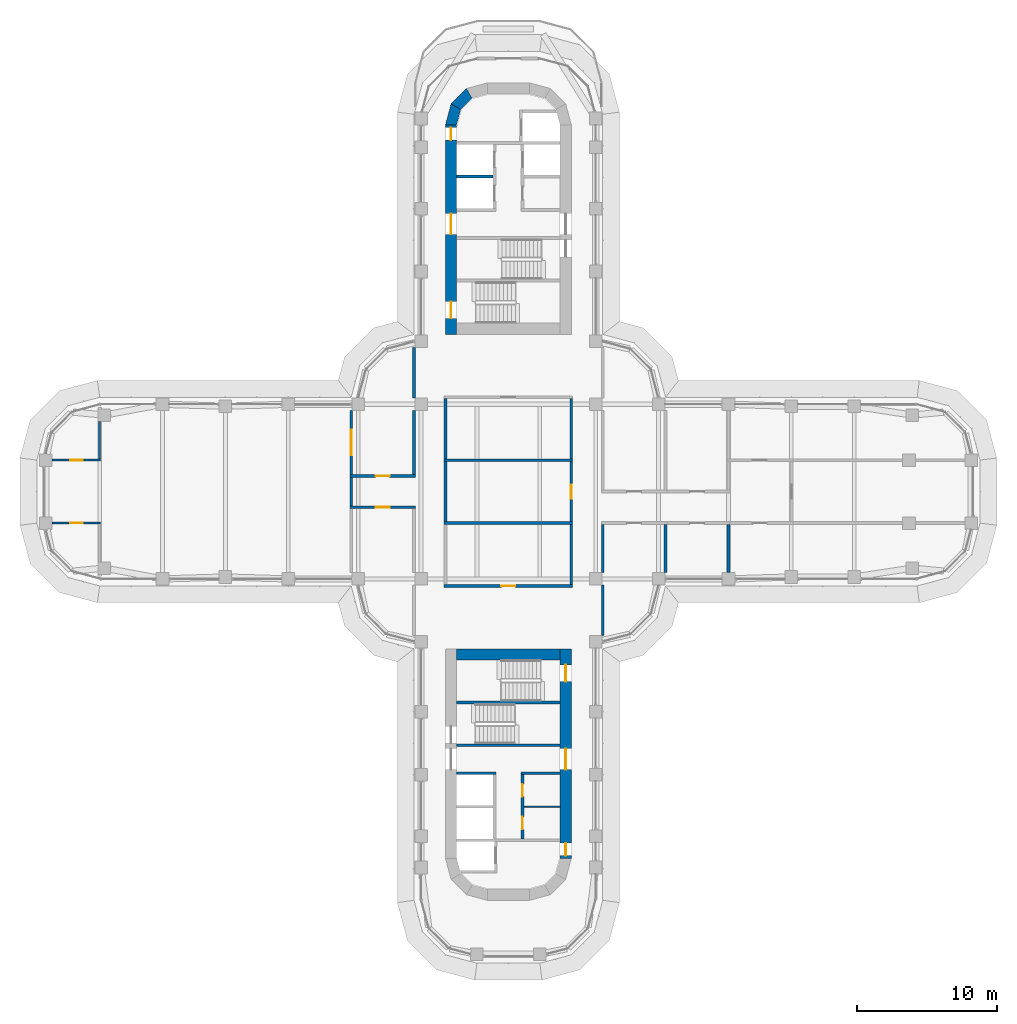
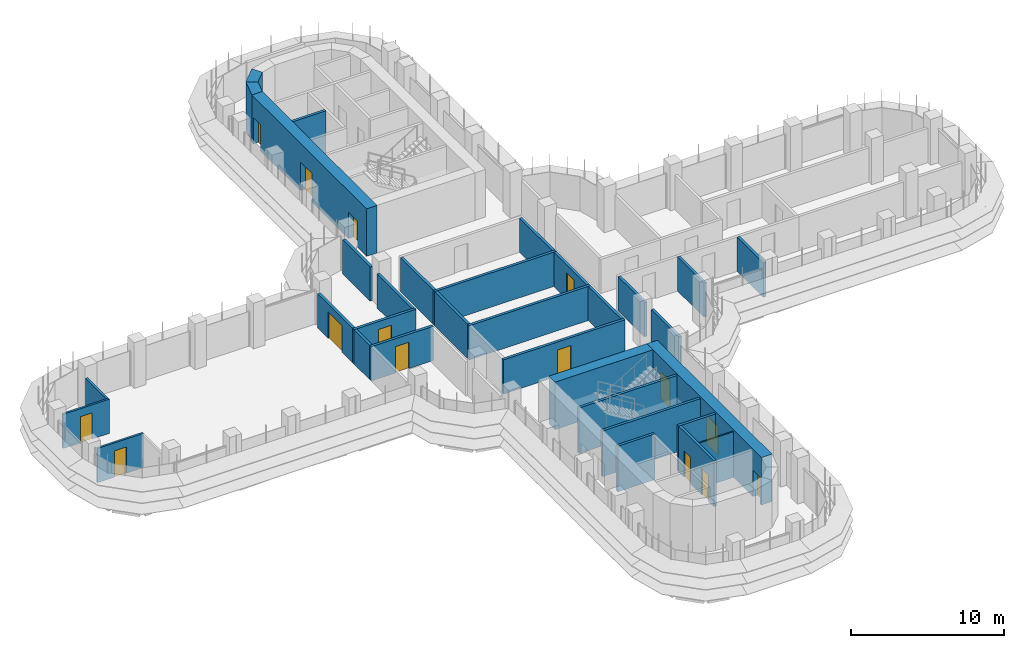
# One storey, part 16 of 22: 33 walls, 15 doors, 15 openings.
"""IFC4 building model written with IfcOpenShell, lengths in metres."""

from ifc_helpers import new_model, si_unit, direction, frame, frame_2d, origin, place, context, subcontext, project, spatial, polyline, rectangle, outline, extrude, material, layer, layer_set, type_object, element, fill, save


model = new_model("IFC4")

# Units and contexts
model_context = context("Model", 3, precision=1e-05, world=origin(), true_north=direction((0.0, 1.0)))
body_context = subcontext(model_context, "Body", "Model", "MODEL_VIEW")
ifc_project = project(units=[si_unit("LENGTHUNIT", "METRE"), si_unit("AREAUNIT", "SQUARE_METRE"), si_unit("VOLUMEUNIT", "CUBIC_METRE"), si_unit("PLANEANGLEUNIT", "RADIAN"), si_unit("MASSUNIT", "GRAM", prefix="KILO")], contexts=[model_context])

# Site, building, storey
site_placement = place(None, origin())
site = spatial("IfcSite", under=ifc_project, at=site_placement, CompositionType="ELEMENT")
building_placement = place(site_placement, origin())
building = spatial("IfcBuilding", under=site, at=building_placement, Name="Zarbagh Exchange Tower", CompositionType="ELEMENT")
storey_placement = place(building_placement, frame((0.0, 0.0, 94.199951171875)))
storey = spatial("IfcBuildingStorey", under=building, at=storey_placement, Name="L21", CompositionType="ELEMENT", Elevation=94.199951171875)

# Wall
ifc_material_1 = material(Name="Dense blockwork", Category="masonry")
ifc_layer_1 = layer(ifc_material_1, 0.10009765625)
ifc_layer_set_1 = layer_set([ifc_layer_1], Name="Core partition 100 mm blockwork")
wall_type_1 = type_object("IfcWallType", Name="Core partition 100 mm blockwork", PredefinedType="PARTITIONING", material=ifc_layer_set_1)
wall_1_placement = place(storey_placement, frame((3.699951171875, -22.550048828125, 0.0), z_axis=(0.0, 0.0, 1.0), x_axis=(-1.0, 0.0, 0.0)))
element("IfcWall", 1, at=wall_1_placement, inside=storey, type_object=wall_type_1, Name="South core partition wall CUT-W-580", PredefinedType="PARTITIONING", context=body_context, shape_type="SweptSolid", body=[
    extrude(rectangle(XDim=2.599853515625, YDim=0.10009765625, at=frame_2d((1.2998046875, 0.0))), origin(), (0.0, 0.0, 1.0), 3.650146484375),
])

# Wall, opening, door
ifc_material_2 = material(Name="Plasterboard partition")
ifc_layer_2 = layer(ifc_material_2, 0.14990234375)
ifc_layer_set_2 = layer_set([ifc_layer_2], Name="PARTITION 150")
wall_type_2 = type_object("IfcWallType", Name="PARTITION 150", PredefinedType="PARTITIONING", material=ifc_layer_set_2)
wall_2_placement = place(storey_placement, frame((-32.659912109375, 2.25, 0.0), z_axis=(0.0, 0.0, 1.0), x_axis=(1.0, 0.0, 0.0)))
wall_2 = element("IfcWall", 2, at=wall_2_placement, inside=storey, type_object=wall_type_2, Name="Partition W-740", PredefinedType="PARTITIONING", context=body_context, shape_type="SweptSolid", body=[
    extrude(rectangle(XDim=3.48486328125, YDim=0.14990234375, at=frame_2d((1.742431640625, 0.0))), origin(), (0.0, 0.0, 1.0), 2.738037109375),
])
opening_1_placement = place(wall_2_placement, frame((1.29248046875, 0.0, 0.0)))
opening_1 = element("IfcOpeningElement", 3, at=opening_1_placement, cuts=wall_2, Name="Opening D-711", PredefinedType="OPENING", context=body_context, shape_type="SweptSolid", body=[
    extrude(rectangle(XDim=0.89990234375, YDim=2.10009765625, at=frame_2d((0.449951171875, 1.050048828125))), frame((0.0, 0.0849609375, 0.0), z_axis=(0.0, -1.0, 0.0), x_axis=(1.0, 0.0, 0.0)), (0.0, 0.0, 1.0), 0.169921875),
])
ifc_material_3 = material(Name="Timber door leaf", Category="wood")
door_type_1 = type_object("IfcDoorType", Name="DOOR 900 X 2100", OperationType="NOTDEFINED", PredefinedType="DOOR", material=ifc_material_3)
door_1_placement = place(opening_1_placement, origin())
door_1 = element("IfcDoor", 4, at=door_1_placement, inside=storey, type_object=door_type_1, Name="Door D-711", OperationType="SINGLE_SWING_RIGHT", OverallHeight=2.10009765625, OverallWidth=0.89990234375, PredefinedType="DOOR", context=body_context, shape_type="SweptSolid", body=[
    extrude(rectangle(XDim=0.89990234375, YDim=2.10009765625, at=frame_2d((0.449951171875, 1.050048828125))), frame((0.0, 0.02490234375, 0.0), z_axis=(0.0, -1.0, 0.0), x_axis=(1.0, 0.0, 0.0)), (0.0, 0.0, 1.0), 0.050048828125),
])
fill(opening_1, door_1)

# Wall
wall_3_placement = place(storey_placement, frame((-29.25, 2.324951171875, 0.0), z_axis=(0.0, 0.0, 1.0), x_axis=(0.0, 1.0, 0.0)))
element("IfcWall", 5, at=wall_3_placement, inside=storey, type_object=wall_type_2, Name="Partition W-741", PredefinedType="PARTITIONING", context=body_context, shape_type="SweptSolid", body=[
    extrude(rectangle(XDim=2.699951171875, YDim=0.14990234375, at=frame_2d((1.35009765625, 0.0))), origin(), (0.0, 0.0, 1.0), 2.738037109375),
])

# Wall, opening, door
wall_4_placement = place(storey_placement, frame((-29.175048828125, -2.25, 0.0), z_axis=(0.0, 0.0, 1.0), x_axis=(-1.0, 0.0, 0.0)))
wall_4 = element("IfcWall", 6, at=wall_4_placement, inside=storey, type_object=wall_type_2, Name="Partition W-743", PredefinedType="PARTITIONING", context=body_context, shape_type="SweptSolid", body=[
    extrude(rectangle(XDim=3.48486328125, YDim=0.14990234375, at=frame_2d((1.742431640625, 0.0))), origin(), (0.0, 0.0, 1.0), 2.738037109375),
])
opening_2_placement = place(wall_4_placement, frame((1.29248046875, 0.0, 0.0)))
opening_2 = element("IfcOpeningElement", 7, at=opening_2_placement, cuts=wall_4, Name="Opening D-712", PredefinedType="OPENING", context=body_context, shape_type="SweptSolid", body=[
    extrude(rectangle(XDim=0.89990234375, YDim=2.10009765625, at=frame_2d((0.449951171875, 1.050048828125))), frame((0.0, 0.0849609375, 0.0), z_axis=(0.0, -1.0, 0.0), x_axis=(1.0, 0.0, 0.0)), (0.0, 0.0, 1.0), 0.169921875),
])
door_2_placement = place(opening_2_placement, origin())
door_2 = element("IfcDoor", 8, at=door_2_placement, inside=storey, type_object=door_type_1, Name="Door D-712", OperationType="SINGLE_SWING_LEFT", OverallHeight=2.10009765625, OverallWidth=0.89990234375, PredefinedType="DOOR", context=body_context, shape_type="SweptSolid", body=[
    extrude(rectangle(XDim=0.89990234375, YDim=2.10009765625, at=frame_2d((0.449951171875, 1.050048828125))), frame((0.0, 0.02490234375, 0.0), z_axis=(0.0, -1.0, 0.0), x_axis=(1.0, 0.0, 0.0)), (0.0, 0.0, 1.0), 0.050048828125),
])
fill(opening_2, door_2)

# Walls
ifc_material_4 = material(Name="Fire-rated plasterboard partition")
ifc_layer_3 = layer(ifc_material_4, 0.199951171875)
ifc_layer_set_3 = layer_set([ifc_layer_3], Name="RATED PARTITION 200")
wall_type_3 = type_object("IfcWallType", Name="RATED PARTITION 200", PredefinedType="PARTITIONING", material=ifc_layer_set_3)
for number, where, z_axis, x_axis, name in (
    (9, (-4.5, 2.35009765625, 0.0), (0.0, 0.0, 1.0), (0.0, 1.0, 0.0), "Partition W-701"),
    (10, (-4.5, -2.14990234375, 0.0), (0.0, 0.0, 1.0), (0.0, 1.0, 0.0), "Partition W-702"),
):
    element("IfcWall", number, at=place(storey_placement, frame(where, z_axis=z_axis, x_axis=x_axis)), inside=storey, type_object=wall_type_3, Name=name, PredefinedType="PARTITIONING", context=body_context, shape_type="SweptSolid", body=[
        extrude(rectangle(XDim=4.2998046875, YDim=0.199951171875, at=frame_2d((2.14990234375, 0.0))), origin(), (0.0, 0.0, 1.0), 2.738037109375),
    ])
wall_5_placement = place(storey_placement, frame((-6.75, 1.22509765625, 0.0), z_axis=(0.0, 0.0, 1.0), x_axis=(0.0, 1.0, 0.0)))
element("IfcWall", 11, at=wall_5_placement, inside=storey, type_object=wall_type_3, Name="Partition W-704", PredefinedType="PARTITIONING", context=body_context, shape_type="SweptSolid", body=[
    extrude(rectangle(XDim=4.574951171875, YDim=0.199951171875, at=frame_2d((2.28759765625, 0.0))), origin(), (0.0, 0.0, 1.0), 2.738037109375),
])
wall_6_placement = place(storey_placement, frame((-6.75, 6.699951171875, 0.0), z_axis=(0.0, 0.0, 1.0), x_axis=(0.0, 1.0, 0.0)))
element("IfcWall", 12, at=wall_6_placement, inside=storey, type_object=wall_type_3, Name="Partition W-705", PredefinedType="PARTITIONING", context=body_context, shape_type="SweptSolid", body=[
    extrude(rectangle(XDim=3.60009765625, YDim=0.199951171875, at=frame_2d((1.800048828125, 0.0))), origin(), (0.0, 0.0, 1.0), 2.738037109375),
])
wall_7_placement = place(storey_placement, frame((4.5, 2.35009765625, 0.0), z_axis=(0.0, 0.0, 1.0), x_axis=(0.0, 1.0, 0.0)))
element("IfcWall", 13, at=wall_7_placement, inside=storey, type_object=wall_type_3, Name="Partition W-708", PredefinedType="PARTITIONING", context=body_context, shape_type="SweptSolid", body=[
    extrude(rectangle(XDim=4.2998046875, YDim=0.199951171875, at=frame_2d((2.14990234375, 0.0))), origin(), (0.0, 0.0, 1.0), 2.738037109375),
])

# Wall, opening, door
wall_8_placement = place(storey_placement, frame((4.5, -2.14990234375, 0.0), z_axis=(0.0, 0.0, 1.0), x_axis=(0.0, 1.0, 0.0)))
wall_8 = element("IfcWall", 14, at=wall_8_placement, inside=storey, type_object=wall_type_3, Name="Partition W-709", PredefinedType="PARTITIONING", context=body_context, shape_type="SweptSolid", body=[
    extrude(rectangle(XDim=4.2998046875, YDim=0.199951171875, at=frame_2d((2.14990234375, 0.0))), origin(), (0.0, 0.0, 1.0), 2.738037109375),
])
opening_3_placement = place(wall_8_placement, frame((1.64990234375, 0.0, 0.0)))
opening_3 = element("IfcOpeningElement", 15, at=opening_3_placement, cuts=wall_8, Name="Opening D-701", PredefinedType="OPENING", context=body_context, shape_type="SweptSolid", body=[
    extrude(rectangle(XDim=1.0, YDim=2.10009765625, at=frame_2d((0.5, 1.050048828125))), frame((0.0, 0.10986328125, 0.0), z_axis=(0.0, -1.0, 0.0), x_axis=(1.0, 0.0, 0.0)), (0.0, 0.0, 1.0), 0.219970703125),
])
ifc_material_5 = material(Name="Steel door set", Category="steel")
door_type_2 = type_object("IfcDoorType", Name="FIRE DOOR 1000 X 2100 FD30S", OperationType="NOTDEFINED", PredefinedType="DOOR", material=ifc_material_5)
door_3_placement = place(opening_3_placement, origin())
door_3 = element("IfcDoor", 16, at=door_3_placement, inside=storey, type_object=door_type_2, Name="Door D-701", OperationType="SINGLE_SWING_RIGHT", OverallHeight=2.10009765625, OverallWidth=1.0, PredefinedType="DOOR", context=body_context, shape_type="SweptSolid", body=[
    extrude(rectangle(XDim=1.0, YDim=2.10009765625, at=frame_2d((0.5, 1.050048828125))), frame((0.0, 0.02490234375, 0.0), z_axis=(0.0, -1.0, 0.0), x_axis=(1.0, 0.0, 0.0)), (0.0, 0.0, 1.0), 0.050048828125),
])
fill(opening_3, door_3)

# Walls
wall_9_placement = place(storey_placement, frame((4.5, -6.64990234375, 0.0), z_axis=(0.0, 0.0, 1.0), x_axis=(0.0, 1.0, 0.0)))
element("IfcWall", 17, at=wall_9_placement, inside=storey, type_object=wall_type_3, Name="Partition W-710", PredefinedType="PARTITIONING", context=body_context, shape_type="SweptSolid", body=[
    extrude(rectangle(XDim=4.2998046875, YDim=0.199951171875, at=frame_2d((2.14990234375, 0.0))), origin(), (0.0, 0.0, 1.0), 2.738037109375),
])
wall_10_placement = place(storey_placement, frame((6.75, -10.300048828125, 0.0), z_axis=(0.0, 0.0, 1.0), x_axis=(0.0, 1.0, 0.0)))
element("IfcWall", 18, at=wall_10_placement, inside=storey, type_object=wall_type_3, Name="Partition W-713", PredefinedType="PARTITIONING", context=body_context, shape_type="SweptSolid", body=[
    extrude(rectangle(XDim=3.60009765625, YDim=0.199951171875, at=frame_2d((1.800048828125, 0.0))), origin(), (0.0, 0.0, 1.0), 2.738037109375),
])
wall_11_placement = place(storey_placement, frame((6.75, -5.800048828125, 0.0), z_axis=(0.0, 0.0, 1.0), x_axis=(0.0, 1.0, 0.0)))
element("IfcWall", 19, at=wall_11_placement, inside=storey, type_object=wall_type_3, Name="Partition W-714", PredefinedType="PARTITIONING", context=body_context, shape_type="SweptSolid", body=[
    extrude(rectangle(XDim=3.449951171875, YDim=0.199951171875, at=frame_2d((1.72509765625, 0.0))), origin(), (0.0, 0.0, 1.0), 2.738037109375),
])

# Wall, opening, door
wall_12_placement = place(storey_placement, frame((-4.60009765625, -6.75, 0.0), z_axis=(0.0, 0.0, 1.0), x_axis=(1.0, 0.0, 0.0)))
wall_12 = element("IfcWall", 20, at=wall_12_placement, inside=storey, type_object=wall_type_3, Name="Partition W-716", PredefinedType="PARTITIONING", context=body_context, shape_type="SweptSolid", body=[
    extrude(rectangle(XDim=9.2001953125, YDim=0.199951171875, at=frame_2d((4.60009765625, 0.0))), origin(), (0.0, 0.0, 1.0), 2.738037109375),
])
opening_4_placement = place(wall_12_placement, frame((4.10009765625, 0.0, 0.0)))
opening_4 = element("IfcOpeningElement", 21, at=opening_4_placement, cuts=wall_12, Name="Opening D-703", PredefinedType="OPENING", context=body_context, shape_type="SweptSolid", body=[
    extrude(rectangle(XDim=1.0, YDim=2.10009765625, at=frame_2d((0.5, 1.050048828125))), frame((0.0, 0.10986328125, 0.0), z_axis=(0.0, -1.0, 0.0), x_axis=(1.0, 0.0, 0.0)), (0.0, 0.0, 1.0), 0.219970703125),
])
door_4_placement = place(opening_4_placement, origin())
door_4 = element("IfcDoor", 22, at=door_4_placement, inside=storey, type_object=door_type_2, Name="Door D-703", OperationType="SINGLE_SWING_RIGHT", OverallHeight=2.10009765625, OverallWidth=1.0, PredefinedType="DOOR", context=body_context, shape_type="SweptSolid", body=[
    extrude(rectangle(XDim=1.0, YDim=2.10009765625, at=frame_2d((0.5, 1.050048828125))), frame((0.0, 0.02490234375, 0.0), z_axis=(0.0, -1.0, 0.0), x_axis=(1.0, 0.0, 0.0)), (0.0, 0.0, 1.0), 0.050048828125),
])
fill(opening_4, door_4)

# Walls
for number, where, z_axis, x_axis, name in (
    (23, (-4.60009765625, 2.25, 0.0), (0.0, 0.0, 1.0), (1.0, 0.0, 0.0), "Partition W-717"),
    (24, (-4.60009765625, -2.25, 0.0), (0.0, 0.0, 1.0), (1.0, 0.0, 0.0), "Partition W-718"),
):
    element("IfcWall", number, at=place(storey_placement, frame(where, z_axis=z_axis, x_axis=x_axis)), inside=storey, type_object=wall_type_3, Name=name, PredefinedType="PARTITIONING", context=body_context, shape_type="SweptSolid", body=[
        extrude(rectangle(XDim=9.2001953125, YDim=0.199951171875, at=frame_2d((4.60009765625, 0.0))), origin(), (0.0, 0.0, 1.0), 2.738037109375),
    ])
for number, where, z_axis, x_axis, name in (
    (25, (11.25, -5.800048828125, 0.0), (0.0, 0.0, 1.0), (0.0, 1.0, 0.0), "Partition W-724"),
    (26, (15.75, -5.800048828125, 0.0), (0.0, 0.0, 1.0), (0.0, 1.0, 0.0), "Partition W-727"),
):
    element("IfcWall", number, at=place(storey_placement, frame(where, z_axis=z_axis, x_axis=x_axis)), inside=storey, type_object=wall_type_3, Name=name, PredefinedType="PARTITIONING", context=body_context, shape_type="SweptSolid", body=[
        extrude(rectangle(XDim=3.449951171875, YDim=0.199951171875, at=frame_2d((1.72509765625, 0.0))), origin(), (0.0, 0.0, 1.0), 2.738037109375),
    ])

# Wall, opening, door
wall_13_placement = place(storey_placement, frame((-11.35009765625, 1.125, 0.0), z_axis=(0.0, 0.0, 1.0), x_axis=(1.0, 0.0, 0.0)))
wall_13 = element("IfcWall", 27, at=wall_13_placement, inside=storey, type_object=wall_type_3, Name="Partition W-735", PredefinedType="PARTITIONING", context=body_context, shape_type="SweptSolid", body=[
    extrude(rectangle(XDim=4.7001953125, YDim=0.199951171875, at=frame_2d((2.35009765625, 0.0))), origin(), (0.0, 0.0, 1.0), 2.738037109375),
])
opening_5_placement = place(wall_13_placement, frame((1.85009765625, 0.0, 0.0)))
opening_5 = element("IfcOpeningElement", 28, at=opening_5_placement, cuts=wall_13, Name="Opening D-714", PredefinedType="OPENING", context=body_context, shape_type="SweptSolid", body=[
    extrude(rectangle(XDim=1.0, YDim=2.10009765625, at=frame_2d((0.5, 1.050048828125))), frame((0.0, 0.10986328125, 0.0), z_axis=(0.0, -1.0, 0.0), x_axis=(1.0, 0.0, 0.0)), (0.0, 0.0, 1.0), 0.219970703125),
])
door_5_placement = place(opening_5_placement, origin())
door_5 = element("IfcDoor", 29, at=door_5_placement, inside=storey, type_object=door_type_2, Name="Door D-714", OperationType="SINGLE_SWING_RIGHT", OverallHeight=2.10009765625, OverallWidth=1.0, PredefinedType="DOOR", context=body_context, shape_type="SweptSolid", body=[
    extrude(rectangle(XDim=1.0, YDim=2.10009765625, at=frame_2d((0.5, 1.050048828125))), frame((0.0, 0.02490234375, 0.0), z_axis=(0.0, -1.0, 0.0), x_axis=(1.0, 0.0, 0.0)), (0.0, 0.0, 1.0), 0.050048828125),
])
fill(opening_5, door_5)

wall_14_placement = place(storey_placement, frame((-6.64990234375, -1.125, 0.0), z_axis=(0.0, 0.0, 1.0), x_axis=(-1.0, 0.0, 0.0)))
wall_14 = element("IfcWall", 30, at=wall_14_placement, inside=storey, type_object=wall_type_3, Name="Partition W-736", PredefinedType="PARTITIONING", context=body_context, shape_type="SweptSolid", body=[
    extrude(rectangle(XDim=4.7001953125, YDim=0.199951171875, at=frame_2d((2.35009765625, 0.0))), origin(), (0.0, 0.0, 1.0), 2.738037109375),
])
opening_6_placement = place(wall_14_placement, frame((1.85009765625, 0.0, 0.0)))
opening_6 = element("IfcOpeningElement", 31, at=opening_6_placement, cuts=wall_14, Name="Opening D-715", PredefinedType="OPENING", context=body_context, shape_type="SweptSolid", body=[
    extrude(rectangle(XDim=1.0, YDim=2.10009765625, at=frame_2d((0.5, 1.050048828125))), frame((0.0, 0.10986328125, 0.0), z_axis=(0.0, -1.0, 0.0), x_axis=(1.0, 0.0, 0.0)), (0.0, 0.0, 1.0), 0.219970703125),
])
door_6_placement = place(opening_6_placement, origin())
door_6 = element("IfcDoor", 32, at=door_6_placement, inside=storey, type_object=door_type_2, Name="Door D-715", OperationType="SINGLE_SWING_RIGHT", OverallHeight=2.10009765625, OverallWidth=1.0, PredefinedType="DOOR", context=body_context, shape_type="SweptSolid", body=[
    extrude(rectangle(XDim=1.0, YDim=2.10009765625, at=frame_2d((0.5, 1.050048828125))), frame((0.0, 0.02490234375, 0.0), z_axis=(0.0, -1.0, 0.0), x_axis=(1.0, 0.0, 0.0)), (0.0, 0.0, 1.0), 0.050048828125),
])
fill(opening_6, door_6)

# Wall
wall_15_placement = place(storey_placement, frame((-11.25, -1.02490234375, 0.0), z_axis=(0.0, 0.0, 1.0), x_axis=(0.0, 1.0, 0.0)))
element("IfcWall", 33, at=wall_15_placement, inside=storey, type_object=wall_type_3, Name="Partition W-737", PredefinedType="PARTITIONING", context=body_context, shape_type="SweptSolid", body=[
    extrude(rectangle(XDim=2.0498046875, YDim=0.199951171875, at=frame_2d((1.02490234375, 0.0))), origin(), (0.0, 0.0, 1.0), 2.738037109375),
])

# Wall, opening, door
wall_16_placement = place(storey_placement, frame((-11.25, 1.22509765625, 0.0), z_axis=(0.0, 0.0, 1.0), x_axis=(0.0, 1.0, 0.0)))
wall_16 = element("IfcWall", 34, at=wall_16_placement, inside=storey, type_object=wall_type_3, Name="Partition W-738", PredefinedType="PARTITIONING", context=body_context, shape_type="SweptSolid", body=[
    extrude(rectangle(XDim=4.574951171875, YDim=0.199951171875, at=frame_2d((2.28759765625, 0.0))), origin(), (0.0, 0.0, 1.0), 2.738037109375),
])
opening_7_placement = place(wall_16_placement, frame((1.387451171875, 0.0, 0.0)))
opening_7 = element("IfcOpeningElement", 35, at=opening_7_placement, cuts=wall_16, Name="Opening D-713", PredefinedType="OPENING", context=body_context, shape_type="SweptSolid", body=[
    extrude(rectangle(XDim=1.800048828125, YDim=2.10009765625, at=frame_2d((0.89990234375, 1.050048828125))), frame((0.0, 0.10986328125, 0.0), z_axis=(0.0, -1.0, 0.0), x_axis=(1.0, 0.0, 0.0)), (0.0, 0.0, 1.0), 0.219970703125),
])
door_type_3 = type_object("IfcDoorType", Name="FIRE DOUBLE DOOR 1800 X 2100 FD30S", OperationType="DOUBLE_DOOR_SINGLE_SWING", PredefinedType="DOOR", material=ifc_material_5)
door_7_placement = place(opening_7_placement, origin())
door_7 = element("IfcDoor", 36, at=door_7_placement, inside=storey, type_object=door_type_3, Name="Door D-713", OperationType="DOUBLE_DOOR_SINGLE_SWING", OverallHeight=2.10009765625, OverallWidth=1.800048828125, PredefinedType="DOOR", context=body_context, shape_type="SweptSolid", body=[
    extrude(rectangle(XDim=1.800048828125, YDim=2.10009765625, at=frame_2d((0.89990234375, 1.050048828125))), frame((0.0, 0.02490234375, 0.0), z_axis=(0.0, -1.0, 0.0), x_axis=(1.0, 0.0, 0.0)), (0.0, 0.0, 1.0), 0.050048828125),
])
fill(opening_7, door_7)

# Walls
ifc_material_6 = material(Name="Concrete C60/75", Category="concrete")
ifc_layer_4 = layer(ifc_material_6, 0.800048828125)
ifc_layer_set_4 = layer_set([ifc_layer_4], Name="RC core corner wall 800 C60/75")
wall_type_4 = type_object("IfcWallType", Name="RC core corner wall 800 C60/75", PredefinedType="SHEAR", material=ifc_layer_set_4)
wall_17_placement = place(storey_placement, origin())
element("IfcWall", 37, at=wall_17_placement, inside=storey, type_object=wall_type_4, Name="CW4 core N corner W", PredefinedType="SHEAR", context=body_context, shape_type="SweptSolid", body=[
    extrude(outline(polyline([(-4.5, 26.25), (-4.09814453125, 27.75), (-3.4052734375, 27.35009765625), (-3.699951171875, 26.25), (-4.5, 26.25)])), origin(), (0.0, 0.0, 1.0), 3.800048828125),
])
wall_18_placement = place(storey_placement, origin())
element("IfcWall", 38, at=wall_18_placement, inside=storey, type_object=wall_type_4, Name="CW4 core N corner W", PredefinedType="SHEAR", context=body_context, shape_type="SweptSolid", body=[
    extrude(outline(polyline([(-4.09814453125, 27.75), (-3.0, 28.84814453125), (-2.60009765625, 28.1552734375), (-3.4052734375, 27.35009765625), (-4.09814453125, 27.75)])), origin(), (0.0, 0.0, 1.0), 3.800048828125),
])

# Wall, openings, doors
ifc_layer_5 = layer(ifc_material_6, 0.800048828125)
ifc_layer_set_5 = layer_set([ifc_layer_5], Name="RC core wall 800 C60/75")
wall_type_5 = type_object("IfcWallType", Name="RC core wall 800 C60/75", PredefinedType="SHEAR", material=ifc_layer_set_5)
wall_19_placement = place(storey_placement, frame((-4.10009765625, 11.25, 0.0), z_axis=(0.0, 0.0, 1.0), x_axis=(0.0, 1.0, 0.0)))
wall_19 = element("IfcWall", 39, at=wall_19_placement, inside=storey, type_object=wall_type_5, Name="CW3 core N W", PredefinedType="SHEAR", context=body_context, shape_type="SweptSolid", body=[
    extrude(rectangle(XDim=15.0, YDim=0.800048828125, at=frame_2d((7.5, 0.0))), origin(), (0.0, 0.0, 1.0), 3.800048828125),
])
opening_8_placement = place(wall_19_placement, frame((7.14990234375, 0.0, 0.0)))
opening_8 = element("IfcOpeningElement", 40, at=opening_8_placement, cuts=wall_19, Name="Opening CD1-1500", PredefinedType="OPENING", context=body_context, shape_type="SweptSolid", body=[
    extrude(rectangle(XDim=1.5, YDim=2.300048828125, at=frame_2d((0.75, 1.14990234375))), frame((0.0, 0.409912109375, 0.0), z_axis=(0.0, -1.0, 0.0), x_axis=(1.0, 0.0, 0.0)), (0.0, 0.0, 1.0), 0.820068359375),
])
opening_9_placement = place(wall_19_placement, frame((13.89990234375, 0.0, 0.0)))
opening_9 = element("IfcOpeningElement", 41, at=opening_9_placement, cuts=wall_19, Name="Opening CD2-900", PredefinedType="OPENING", context=body_context, shape_type="SweptSolid", body=[
    extrude(rectangle(XDim=0.89990234375, YDim=2.10009765625, at=frame_2d((0.449951171875, 1.050048828125))), frame((0.0, 0.409912109375, 0.0), z_axis=(0.0, -1.0, 0.0), x_axis=(1.0, 0.0, 0.0)), (0.0, 0.0, 1.0), 0.820068359375),
])
opening_10_placement = place(wall_19_placement, frame((1.14990234375, 0.0, 0.0)))
opening_10 = element("IfcOpeningElement", 42, at=opening_10_placement, cuts=wall_19, Name="Opening SD1-1200", PredefinedType="OPENING", context=body_context, shape_type="SweptSolid", body=[
    extrude(rectangle(XDim=1.199951171875, YDim=2.10009765625, at=frame_2d((0.60009765625, 1.050048828125))), frame((0.0, 0.409912109375, 0.0), z_axis=(0.0, -1.0, 0.0), x_axis=(1.0, 0.0, 0.0)), (0.0, 0.0, 1.0), 0.820068359375),
])
ifc_material_7 = material(Name="Steel", Category="steel")
door_type_4 = type_object("IfcDoorType", Name="Exit stair door 1200 x 2100", OperationType="NOTDEFINED", PredefinedType="DOOR", material=ifc_material_7)
door_8_placement = place(opening_10_placement, origin())
door_8 = element("IfcDoor", 43, at=door_8_placement, inside=storey, type_object=door_type_4, Name="North core stair door ST2", OperationType="SINGLE_SWING_RIGHT", OverallHeight=2.10009765625, OverallWidth=1.199951171875, PredefinedType="DOOR", context=body_context, shape_type="SweptSolid", body=[
    extrude(rectangle(XDim=1.199951171875, YDim=2.10009765625, at=frame_2d((0.60009765625, 1.050048828125))), frame((0.0, 0.02490234375, 0.0), z_axis=(0.0, -1.0, 0.0), x_axis=(1.0, 0.0, 0.0)), (0.0, 0.0, 1.0), 0.050048828125),
])
fill(opening_10, door_8)
door_type_5 = type_object("IfcDoorType", Name="Firefighting lobby door 900 x 2100", OperationType="NOTDEFINED", PredefinedType="DOOR", material=ifc_material_7)
door_9_placement = place(opening_9_placement, origin())
door_9 = element("IfcDoor", 44, at=door_9_placement, inside=storey, type_object=door_type_5, Name="North core firefighting lobby door FF-W", OperationType="SINGLE_SWING_RIGHT", OverallHeight=2.10009765625, OverallWidth=0.89990234375, PredefinedType="DOOR", context=body_context, shape_type="SweptSolid", body=[
    extrude(rectangle(XDim=0.89990234375, YDim=2.10009765625, at=frame_2d((0.449951171875, 1.050048828125))), frame((0.0, 0.02490234375, 0.0), z_axis=(0.0, -1.0, 0.0), x_axis=(1.0, 0.0, 0.0)), (0.0, 0.0, 1.0), 0.050048828125),
])
fill(opening_9, door_9)
door_type_6 = type_object("IfcDoorType", Name="Lift lobby double door 1500 x 2300", OperationType="NOTDEFINED", PredefinedType="DOOR", material=ifc_material_7)
door_10_placement = place(opening_8_placement, origin())
door_10 = element("IfcDoor", 45, at=door_10_placement, inside=storey, type_object=door_type_6, Name="North core lift lobby door LOBBY-W", OperationType="DOUBLE_DOOR_SINGLE_SWING", OverallHeight=2.300048828125, OverallWidth=1.5, PredefinedType="DOOR", context=body_context, shape_type="SweptSolid", body=[
    extrude(rectangle(XDim=1.5, YDim=2.300048828125, at=frame_2d((0.75, 1.14990234375))), frame((0.0, 0.02490234375, 0.0), z_axis=(0.0, -1.0, 0.0), x_axis=(1.0, 0.0, 0.0)), (0.0, 0.0, 1.0), 0.050048828125),
])
fill(opening_8, door_10)

wall_20_placement = place(storey_placement, frame((4.10009765625, -11.25, 0.0), z_axis=(0.0, 0.0, 1.0), x_axis=(0.0, -1.0, 0.0)))
wall_20 = element("IfcWall", 46, at=wall_20_placement, inside=storey, type_object=wall_type_5, Name="CW3 core S E", PredefinedType="SHEAR", context=body_context, shape_type="SweptSolid", body=[
    extrude(rectangle(XDim=15.0, YDim=0.800048828125, at=frame_2d((7.5, 0.0))), origin(), (0.0, 0.0, 1.0), 3.800048828125),
])
opening_11_placement = place(wall_20_placement, frame((7.14990234375, 0.0, 0.0)))
opening_11 = element("IfcOpeningElement", 47, at=opening_11_placement, cuts=wall_20, Name="Opening CD1-1500", PredefinedType="OPENING", context=body_context, shape_type="SweptSolid", body=[
    extrude(rectangle(XDim=1.5, YDim=2.300048828125, at=frame_2d((0.75, 1.14990234375))), frame((0.0, 0.409912109375, 0.0), z_axis=(0.0, -1.0, 0.0), x_axis=(1.0, 0.0, 0.0)), (0.0, 0.0, 1.0), 0.820068359375),
])
opening_12_placement = place(wall_20_placement, frame((13.89990234375, 0.0, 0.0)))
opening_12 = element("IfcOpeningElement", 48, at=opening_12_placement, cuts=wall_20, Name="Opening CD2-900", PredefinedType="OPENING", context=body_context, shape_type="SweptSolid", body=[
    extrude(rectangle(XDim=0.89990234375, YDim=2.10009765625, at=frame_2d((0.449951171875, 1.050048828125))), frame((0.0, 0.409912109375, 0.0), z_axis=(0.0, -1.0, 0.0), x_axis=(1.0, 0.0, 0.0)), (0.0, 0.0, 1.0), 0.820068359375),
])
opening_13_placement = place(wall_20_placement, frame((1.14990234375, 0.0, 0.0)))
opening_13 = element("IfcOpeningElement", 49, at=opening_13_placement, cuts=wall_20, Name="Opening SD1-1200", PredefinedType="OPENING", context=body_context, shape_type="SweptSolid", body=[
    extrude(rectangle(XDim=1.199951171875, YDim=2.10009765625, at=frame_2d((0.60009765625, 1.050048828125))), frame((0.0, 0.409912109375, 0.0), z_axis=(0.0, -1.0, 0.0), x_axis=(1.0, 0.0, 0.0)), (0.0, 0.0, 1.0), 0.820068359375),
])
door_11_placement = place(opening_13_placement, origin())
door_11 = element("IfcDoor", 50, at=door_11_placement, inside=storey, type_object=door_type_4, Name="South core stair door ST2", OperationType="SINGLE_SWING_LEFT", OverallHeight=2.10009765625, OverallWidth=1.199951171875, PredefinedType="DOOR", context=body_context, shape_type="SweptSolid", body=[
    extrude(rectangle(XDim=1.199951171875, YDim=2.10009765625, at=frame_2d((0.60009765625, 1.050048828125))), frame((0.0, 0.02490234375, 0.0), z_axis=(0.0, -1.0, 0.0), x_axis=(1.0, 0.0, 0.0)), (0.0, 0.0, 1.0), 0.050048828125),
])
fill(opening_13, door_11)
door_12_placement = place(opening_12_placement, origin())
door_12 = element("IfcDoor", 51, at=door_12_placement, inside=storey, type_object=door_type_5, Name="South core firefighting lobby door FF-W", OperationType="SINGLE_SWING_RIGHT", OverallHeight=2.10009765625, OverallWidth=0.89990234375, PredefinedType="DOOR", context=body_context, shape_type="SweptSolid", body=[
    extrude(rectangle(XDim=0.89990234375, YDim=2.10009765625, at=frame_2d((0.449951171875, 1.050048828125))), frame((0.0, 0.02490234375, 0.0), z_axis=(0.0, -1.0, 0.0), x_axis=(1.0, 0.0, 0.0)), (0.0, 0.0, 1.0), 0.050048828125),
])
fill(opening_12, door_12)
door_13_placement = place(opening_11_placement, origin())
door_13 = element("IfcDoor", 52, at=door_13_placement, inside=storey, type_object=door_type_6, Name="South core lift lobby door LOBBY-W", OperationType="DOUBLE_DOOR_SINGLE_SWING", OverallHeight=2.300048828125, OverallWidth=1.5, PredefinedType="DOOR", context=body_context, shape_type="SweptSolid", body=[
    extrude(rectangle(XDim=1.5, YDim=2.300048828125, at=frame_2d((0.75, 1.14990234375))), frame((0.0, 0.02490234375, 0.0), z_axis=(0.0, -1.0, 0.0), x_axis=(1.0, 0.0, 0.0)), (0.0, 0.0, 1.0), 0.050048828125),
])
fill(opening_11, door_13)

# Walls
wall_21_placement = place(storey_placement, frame((-3.699951171875, -11.64990234375, 0.0), z_axis=(0.0, 0.0, 1.0), x_axis=(1.0, 0.0, 0.0)))
element("IfcWall", 53, at=wall_21_placement, inside=storey, type_object=wall_type_5, Name="CW3 core S inner end", PredefinedType="SHEAR", context=body_context, shape_type="SweptSolid", body=[
    extrude(rectangle(XDim=7.39990234375, YDim=0.800048828125, at=frame_2d((3.699951171875, 0.0))), origin(), (0.0, 0.0, 1.0), 3.800048828125),
])
ifc_layer_6 = layer(ifc_material_1, 0.199951171875)
ifc_layer_set_6 = layer_set([ifc_layer_6], Name="Shaft wall 200 mm blockwork")
wall_type_6 = type_object("IfcWallType", Name="Shaft wall 200 mm blockwork", PredefinedType="PARTITIONING", material=ifc_layer_set_6)
wall_22_placement = place(storey_placement, frame((-3.699951171875, 22.550048828125, 0.0), z_axis=(0.0, 0.0, 1.0), x_axis=(1.0, 0.0, 0.0)))
element("IfcWall", 54, at=wall_22_placement, inside=storey, type_object=wall_type_6, Name="North core shaft wall TR-W", PredefinedType="PARTITIONING", context=body_context, shape_type="SweptSolid", body=[
    extrude(rectangle(XDim=2.599853515625, YDim=0.199951171875, at=frame_2d((1.2998046875, 0.0))), origin(), (0.0, 0.0, 1.0), 3.650146484375),
])
wall_23_placement = place(storey_placement, frame((3.699951171875, -20.14990234375, 0.0), z_axis=(0.0, 0.0, 1.0), x_axis=(-1.0, 0.0, 0.0)))
element("IfcWall", 55, at=wall_23_placement, inside=storey, type_object=wall_type_6, Name="South core shaft wall AB-W", PredefinedType="PARTITIONING", context=body_context, shape_type="SweptSolid", body=[
    extrude(rectangle(XDim=2.800048828125, YDim=0.199951171875, at=frame_2d((1.39990234375, 0.0))), origin(), (0.0, 0.0, 1.0), 3.650146484375),
])

# Wall, openings, doors
wall_24_placement = place(storey_placement, frame((1.0, -24.85009765625, 0.0), z_axis=(0.0, 0.0, 1.0), x_axis=(0.0, 1.0, 0.0)))
wall_24 = element("IfcWall", 56, at=wall_24_placement, inside=storey, type_object=wall_type_6, Name="South core shaft wall LW-W", PredefinedType="PARTITIONING", context=body_context, shape_type="SweptSolid", body=[
    extrude(rectangle(XDim=4.60009765625, YDim=0.199951171875, at=frame_2d((2.300048828125, 0.0))), origin(), (0.0, 0.0, 1.0), 3.650146484375),
])
opening_14_placement = place(wall_24_placement, frame((0.675048828125, 0.0, 0.0)))
opening_14 = element("IfcOpeningElement", 57, at=opening_14_placement, cuts=wall_24, Name="Opening CD3-900", PredefinedType="OPENING", context=body_context, shape_type="SweptSolid", body=[
    extrude(rectangle(XDim=0.89990234375, YDim=2.10009765625, at=frame_2d((0.449951171875, 1.050048828125))), frame((0.0, 0.10986328125, 0.0), z_axis=(0.0, -1.0, 0.0), x_axis=(1.0, 0.0, 0.0)), (0.0, 0.0, 1.0), 0.219970703125),
])
opening_15_placement = place(wall_24_placement, frame((3.02490234375, 0.0, 0.0)))
opening_15 = element("IfcOpeningElement", 58, at=opening_15_placement, cuts=wall_24, Name="Opening CD3-900", PredefinedType="OPENING", context=body_context, shape_type="SweptSolid", body=[
    extrude(rectangle(XDim=0.89990234375, YDim=2.10009765625, at=frame_2d((0.449951171875, 1.050048828125))), frame((0.0, 0.10986328125, 0.0), z_axis=(0.0, -1.0, 0.0), x_axis=(1.0, 0.0, 0.0)), (0.0, 0.0, 1.0), 0.219970703125),
])
door_type_7 = type_object("IfcDoorType", Name="Core room door 900 x 2100", OperationType="NOTDEFINED", PredefinedType="DOOR", material=ifc_material_7)
door_14_placement = place(opening_14_placement, origin())
door_14 = element("IfcDoor", 59, at=door_14_placement, inside=storey, type_object=door_type_7, Name="South core Staff WC door RD-W-0", OperationType="SINGLE_SWING_RIGHT", OverallHeight=2.10009765625, OverallWidth=0.89990234375, PredefinedType="DOOR", context=body_context, shape_type="SweptSolid", body=[
    extrude(rectangle(XDim=0.89990234375, YDim=2.10009765625, at=frame_2d((0.449951171875, 1.050048828125))), frame((0.0, 0.02490234375, 0.0), z_axis=(0.0, -1.0, 0.0), x_axis=(1.0, 0.0, 0.0)), (0.0, 0.0, 1.0), 0.050048828125),
])
fill(opening_14, door_14)
door_15_placement = place(opening_15_placement, origin())
door_15 = element("IfcDoor", 60, at=door_15_placement, inside=storey, type_object=door_type_7, Name="South core Accessible WC door RD-W-1", OperationType="SINGLE_SWING_RIGHT", OverallHeight=2.10009765625, OverallWidth=0.89990234375, PredefinedType="DOOR", context=body_context, shape_type="SweptSolid", body=[
    extrude(rectangle(XDim=0.89990234375, YDim=2.10009765625, at=frame_2d((0.449951171875, 1.050048828125))), frame((0.0, 0.02490234375, 0.0), z_axis=(0.0, -1.0, 0.0), x_axis=(1.0, 0.0, 0.0)), (0.0, 0.0, 1.0), 0.050048828125),
])
fill(opening_15, door_15)

# Walls
wall_25_placement = place(storey_placement, frame((-0.89990234375, -20.14990234375, 0.0), z_axis=(0.0, 0.0, 1.0), x_axis=(-1.0, 0.0, 0.0)))
element("IfcWall", 61, at=wall_25_placement, inside=storey, type_object=wall_type_6, Name="South core shaft wall AB-E", PredefinedType="PARTITIONING", context=body_context, shape_type="SweptSolid", body=[
    extrude(rectangle(XDim=2.800048828125, YDim=0.199951171875, at=frame_2d((1.39990234375, 0.0))), origin(), (0.0, 0.0, 1.0), 3.650146484375),
])
ifc_material_8 = material(Name="Concrete C40/50", Category="concrete")
ifc_layer_7 = layer(ifc_material_8, 0.199951171875)
ifc_layer_set_7 = layer_set([ifc_layer_7], Name="Stair enclosure wall 200 mm RC C40/50")
wall_type_7 = type_object("IfcWallType", Name="Stair enclosure wall 200 mm RC C40/50", PredefinedType="SHEAR", material=ifc_layer_set_7)
for number, where, z_axis, x_axis, name in (
    (62, (3.699951171875, -18.14990234375, 0.0), (0.0, 0.0, 1.0), (-1.0, 0.0, 0.0), "South core stair wall BS"),
    (63, (3.699951171875, -15.10009765625, 0.0), (0.0, 0.0, 1.0), (-1.0, 0.0, 0.0), "South core stair wall ST12"),
):
    element("IfcWall", number, at=place(storey_placement, frame(where, z_axis=z_axis, x_axis=x_axis)), inside=storey, type_object=wall_type_7, Name=name, PredefinedType="SHEAR", context=body_context, shape_type="SweptSolid", body=[
        extrude(rectangle(XDim=7.39990234375, YDim=0.199951171875, at=frame_2d((3.699951171875, 0.0))), origin(), (0.0, 0.0, 1.0), 3.650146484375),
    ])

save(model, "model.ifc")
